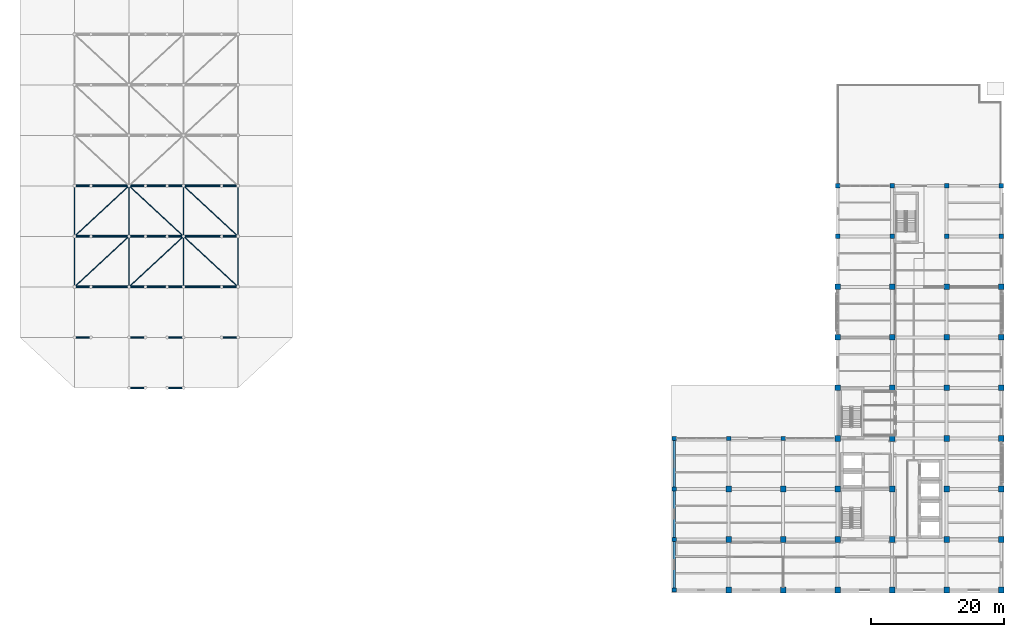
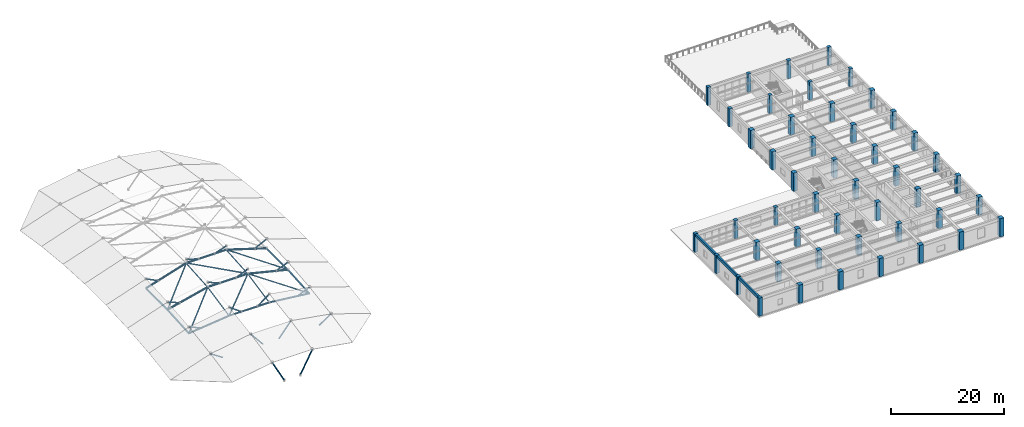
# One storey, part 1 of 22: 48 columns, 41 members, 3 beams.
"""IFC4 building model written with IfcOpenShell, lengths in metres."""

from ifc_helpers import new_model, si_unit, direction, frame, origin, origin_2d, place, context, subcontext, project, spatial, rectangle, hollow_rectangle, hollow_circle, extrude, material, material_profile, profile_set, type_object, element, save


model = new_model("IFC4")

# Units and contexts
model_context = context("Model", 3, precision=1e-05, world=origin(), true_north=direction((0.0, 1.0)))
body_context = subcontext(model_context, "Body", "Model", "MODEL_VIEW")
ifc_project = project(units=[si_unit("LENGTHUNIT", "METRE"), si_unit("AREAUNIT", "SQUARE_METRE"), si_unit("VOLUMEUNIT", "CUBIC_METRE"), si_unit("PLANEANGLEUNIT", "RADIAN"), si_unit("MASSUNIT", "GRAM", prefix="KILO")], contexts=[model_context])

# Site, building, storey
site_placement = place(None, origin())
site = spatial("IfcSite", under=ifc_project, at=site_placement, CompositionType="ELEMENT")
building_placement = place(site_placement, origin())
building = spatial("IfcBuilding", under=site, at=building_placement, Name="Qandaris Square Conservatory and Botanical Centre", CompositionType="ELEMENT")
storey_placement = place(building_placement, frame((0.0, 0.0, 19.800048828125)))
storey = spatial("IfcBuildingStorey", under=building, at=storey_placement, Name="L04", CompositionType="ELEMENT", Elevation=19.800048828125)

# Columns
ifc_material_1 = material(Name="Concrete C50/60", Category="concrete")
ifc_material_profile_1 = material_profile(ifc_material_1, rectangle(XDim=0.64990234375, YDim=0.64990234375, at=origin_2d()), Name="RC-COL 650x650")
ifc_profile_set_1 = profile_set([ifc_material_profile_1], Name="Concrete C50/60")
column_type_1 = type_object("IfcColumnType", Name="RC Column 650x650", PredefinedType="COLUMN", material=ifc_profile_set_1)
for number, where, z_axis, x_axis, name in (
    (1, (114.60009765625, 16.60009765625, 0.0), (0.0, 0.0, 1.0), (1.0, 0.0, 0.0), "Column B14 (L04)"),
    (2, (114.60009765625, 24.199951171875, 0.0), (0.0, 0.0, 1.0), (1.0, 0.0, 0.0), "Column C14 (L04)"),
    (3, (114.60009765625, 31.800048828125, 0.0), (0.0, 0.0, 1.0), (1.0, 0.0, 0.0), "Column D14 (L04)"),
    (4, (114.60009765625, 39.39990234375, 0.0), (0.0, 0.0, 1.0), (1.0, 0.0, 0.0), "Column E14 (L04)"),
    (5, (122.800048828125, 39.39990234375, 0.0), (0.0, 0.0, 1.0), (1.0, 0.0, 0.0), "Column E15 (L04)"),
    (6, (131.0, 39.39990234375, 0.0), (0.0, 0.0, 1.0), (1.0, 0.0, 0.0), "Column E16 (L04)"),
    (7, (139.199951171875, 69.800048828125, 0.0), (0.0, 0.0, 1.0), (1.0, 0.0, 0.0), "Column J17 (L04)"),
    (8, (139.199951171875, 77.39990234375, 0.0), (0.0, 0.0, 1.0), (1.0, 0.0, 0.0), "Column K17 (L04)"),
    (9, (147.39990234375, 69.800048828125, 0.0), (0.0, 0.0, 1.0), (1.0, 0.0, 0.0), "Column J18 (L04)"),
    (10, (147.39990234375, 77.39990234375, 0.0), (0.0, 0.0, 1.0), (1.0, 0.0, 0.0), "Column K18 (L04)"),
    (11, (155.60009765625, 69.800048828125, 0.0), (0.0, 0.0, 1.0), (1.0, 0.0, 0.0), "Column J19 (L04)"),
    (12, (155.60009765625, 77.39990234375, 0.0), (0.0, 0.0, 1.0), (1.0, 0.0, 0.0), "Column K19 (L04)"),
    (13, (163.800048828125, 69.800048828125, 0.0), (0.0, 0.0, 1.0), (1.0, 0.0, 0.0), "Column J20 (L04)"),
    (14, (163.800048828125, 77.39990234375, 0.0), (0.0, 0.0, 1.0), (1.0, 0.0, 0.0), "Column K20 (L04)"),
):
    element("IfcColumn", number, at=place(storey_placement, frame(where, z_axis=z_axis, x_axis=x_axis)), inside=storey, type_object=column_type_1, Name=name, PredefinedType="COLUMN", context=body_context, shape_type="SweptSolid", body=[
        extrude(rectangle(XDim=0.64990234375, YDim=0.64990234375, at=origin_2d()), origin(), (0.0, 0.0, 1.0), 3.93994140625),
    ])
ifc_material_profile_2 = material_profile(ifc_material_1, rectangle(XDim=0.85009765625, YDim=0.85009765625, at=origin_2d()), Name="RC-COL 850x850")
ifc_profile_set_2 = profile_set([ifc_material_profile_2], Name="Concrete C50/60")
column_type_2 = type_object("IfcColumnType", Name="RC Column 850x850", PredefinedType="COLUMN", material=ifc_profile_set_2)
for number, where, z_axis, x_axis, name in (
    (15, (122.800048828125, 16.60009765625, 0.0), (0.0, 0.0, 1.0), (1.0, 0.0, 0.0), "Column B15 (L04)"),
    (16, (122.800048828125, 24.199951171875, 0.0), (0.0, 0.0, 1.0), (1.0, 0.0, 0.0), "Column C15 (L04)"),
    (17, (122.800048828125, 31.800048828125, 0.0), (0.0, 0.0, 1.0), (1.0, 0.0, 0.0), "Column D15 (L04)"),
    (18, (131.0, 16.60009765625, 0.0), (0.0, 0.0, 1.0), (1.0, 0.0, 0.0), "Column B16 (L04)"),
    (19, (131.0, 24.199951171875, 0.0), (0.0, 0.0, 1.0), (1.0, 0.0, 0.0), "Column C16 (L04)"),
    (20, (131.0, 31.800048828125, 0.0), (0.0, 0.0, 1.0), (1.0, 0.0, 0.0), "Column D16 (L04)"),
    (21, (139.199951171875, 16.60009765625, 0.0), (0.0, 0.0, 1.0), (1.0, 0.0, 0.0), "Column B17 (L04)"),
    (22, (139.199951171875, 24.199951171875, 0.0), (0.0, 0.0, 1.0), (1.0, 0.0, 0.0), "Column C17 (L04)"),
    (23, (139.199951171875, 31.800048828125, 0.0), (0.0, 0.0, 1.0), (1.0, 0.0, 0.0), "Column D17 (L04)"),
    (24, (139.199951171875, 39.39990234375, 0.0), (0.0, 0.0, 1.0), (1.0, 0.0, 0.0), "Column E17 (L04)"),
    (25, (139.199951171875, 47.0, 0.0), (0.0, 0.0, 1.0), (1.0, 0.0, 0.0), "Column F17 (L04)"),
    (26, (139.199951171875, 54.60009765625, 0.0), (0.0, 0.0, 1.0), (1.0, 0.0, 0.0), "Column G17 (L04)"),
    (27, (139.199951171875, 62.199951171875, 0.0), (0.0, 0.0, 1.0), (1.0, 0.0, 0.0), "Column H17 (L04)"),
    (28, (147.39990234375, 16.60009765625, 0.0), (0.0, 0.0, 1.0), (1.0, 0.0, 0.0), "Column B18 (L04)"),
    (29, (147.39990234375, 24.199951171875, 0.0), (0.0, 0.0, 1.0), (1.0, 0.0, 0.0), "Column C18 (L04)"),
    (30, (147.39990234375, 31.800048828125, 0.0), (0.0, 0.0, 1.0), (1.0, 0.0, 0.0), "Column D18 (L04)"),
    (31, (147.39990234375, 39.39990234375, 0.0), (0.0, 0.0, 1.0), (1.0, 0.0, 0.0), "Column E18 (L04)"),
    (32, (147.39990234375, 47.0, 0.0), (0.0, 0.0, 1.0), (1.0, 0.0, 0.0), "Column F18 (L04)"),
    (33, (147.39990234375, 54.60009765625, 0.0), (0.0, 0.0, 1.0), (1.0, 0.0, 0.0), "Column G18 (L04)"),
    (34, (147.39990234375, 62.199951171875, 0.0), (0.0, 0.0, 1.0), (1.0, 0.0, 0.0), "Column H18 (L04)"),
    (35, (155.60009765625, 16.60009765625, 0.0), (0.0, 0.0, 1.0), (1.0, 0.0, 0.0), "Column B19 (L04)"),
    (36, (155.60009765625, 24.199951171875, 0.0), (0.0, 0.0, 1.0), (1.0, 0.0, 0.0), "Column C19 (L04)"),
    (37, (155.60009765625, 31.800048828125, 0.0), (0.0, 0.0, 1.0), (1.0, 0.0, 0.0), "Column D19 (L04)"),
    (38, (155.60009765625, 39.39990234375, 0.0), (0.0, 0.0, 1.0), (1.0, 0.0, 0.0), "Column E19 (L04)"),
    (39, (155.60009765625, 47.0, 0.0), (0.0, 0.0, 1.0), (1.0, 0.0, 0.0), "Column F19 (L04)"),
    (40, (155.60009765625, 54.60009765625, 0.0), (0.0, 0.0, 1.0), (1.0, 0.0, 0.0), "Column G19 (L04)"),
    (41, (155.60009765625, 62.199951171875, 0.0), (0.0, 0.0, 1.0), (1.0, 0.0, 0.0), "Column H19 (L04)"),
    (42, (163.800048828125, 16.60009765625, 0.0), (0.0, 0.0, 1.0), (1.0, 0.0, 0.0), "Column B20 (L04)"),
    (43, (163.800048828125, 24.199951171875, 0.0), (0.0, 0.0, 1.0), (1.0, 0.0, 0.0), "Column C20 (L04)"),
    (44, (163.800048828125, 31.800048828125, 0.0), (0.0, 0.0, 1.0), (1.0, 0.0, 0.0), "Column D20 (L04)"),
    (45, (163.800048828125, 39.39990234375, 0.0), (0.0, 0.0, 1.0), (1.0, 0.0, 0.0), "Column E20 (L04)"),
    (46, (163.800048828125, 47.0, 0.0), (0.0, 0.0, 1.0), (1.0, 0.0, 0.0), "Column F20 (L04)"),
    (47, (163.800048828125, 54.60009765625, 0.0), (0.0, 0.0, 1.0), (1.0, 0.0, 0.0), "Column G20 (L04)"),
    (48, (163.800048828125, 62.199951171875, 0.0), (0.0, 0.0, 1.0), (1.0, 0.0, 0.0), "Column H20 (L04)"),
):
    element("IfcColumn", number, at=place(storey_placement, frame(where, z_axis=z_axis, x_axis=x_axis)), inside=storey, type_object=column_type_2, Name=name, PredefinedType="COLUMN", context=body_context, shape_type="SweptSolid", body=[
        extrude(rectangle(XDim=0.85009765625, YDim=0.85009765625, at=origin_2d()), origin(), (0.0, 0.0, 1.0), 3.93994140625),
    ])

# Members
ifc_material_2 = material(Name="Steel S355", Category="steel")
ifc_material_profile_3 = material_profile(ifc_material_2, hollow_circle(Radius=0.084228515625, WallThickness=0.008056640625, at=origin_2d()), Name="CHS 168.3x8.0")
ifc_profile_set_3 = profile_set([ifc_material_profile_3], Name="Steel S355")
member_type_1 = type_object("IfcMemberType", Name="Gridshell Crown Diagrid Brace CHS 168.3x8.0", PredefinedType="BRACE", material=ifc_profile_set_3)
member_1_placement = place(storey_placement, frame((24.39990234375, 62.199951171875, 0.02880859375), z_axis=(0.715665643203, 0.663292588809, 0.218782149113), x_axis=(-0.679760654278, 0.733434014002, 0.0)))
element("IfcMember", 49, at=member_1_placement, inside=storey, type_object=member_type_1, Name="Conservatory Diagrid Brace 010", PredefinedType="BRACE", context=body_context, shape_type="SweptSolid", body=[
    extrude(hollow_circle(Radius=0.084228515625, WallThickness=0.008056640625, at=origin_2d()), origin(), (0.0, 0.0, 1.0), 11.458251953125),
])
member_2_placement = place(storey_placement, frame((24.39990234375, 69.800048828125, 0.531982421875), z_axis=(0.714720486394, 0.662395320382, 0.224515179586), x_axis=(-0.679748907773, 0.733444900713, 0.0)))
element("IfcMember", 50, at=member_2_placement, inside=storey, type_object=member_type_1, Name="Conservatory Diagrid Brace 011", PredefinedType="BRACE", context=body_context, shape_type="SweptSolid", body=[
    extrude(hollow_circle(Radius=0.084228515625, WallThickness=0.008056640625, at=origin_2d()), origin(), (0.0, 0.0, 1.0), 11.473388671875),
])
member_3_placement = place(storey_placement, frame((32.60009765625, 62.199951171875, 0.9453125), z_axis=(0.726114918349, 0.672997213451, 0.140825693814), x_axis=(-0.67977154102, 0.733423923811, 0.0)))
element("IfcMember", 51, at=member_3_placement, inside=storey, type_object=member_type_1, Name="Conservatory Diagrid Brace 019", PredefinedType="BRACE", context=body_context, shape_type="SweptSolid", body=[
    extrude(hollow_circle(Radius=0.084228515625, WallThickness=0.008056640625, at=origin_2d()), origin(), (0.0, 0.0, 1.0), 11.29296875),
])
member_4_placement = place(storey_placement, frame((32.60009765625, 77.39990234375, 3.10791015625), z_axis=(0.732475907026, -0.678871066478, -0.051118692532), x_axis=(0.67975979465, 0.733434810721, 0.0)))
element("IfcMember", 52, at=member_4_placement, inside=storey, type_object=member_type_1, Name="Conservatory Diagrid Brace 020", PredefinedType="BRACE", context=body_context, shape_type="SweptSolid", body=[
    extrude(hollow_circle(Radius=0.084228515625, WallThickness=0.008056640625, at=origin_2d()), origin(), (0.0, 0.0, 1.0), 11.19482421875),
])
member_5_placement = place(storey_placement, frame((40.800048828125, 69.800048828125, 2.53564453125), z_axis=(0.715655248838, -0.663302703318, -0.218785485309), x_axis=(0.67977154102, 0.733423923811, 0.0)))
element("IfcMember", 53, at=member_5_placement, inside=storey, type_object=member_type_1, Name="Conservatory Diagrid Brace 028", PredefinedType="BRACE", context=body_context, shape_type="SweptSolid", body=[
    extrude(hollow_circle(Radius=0.084228515625, WallThickness=0.008056640625, at=origin_2d()), origin(), (0.0, 0.0, 1.0), 11.4580078125),
])
member_6_placement = place(storey_placement, frame((40.800048828125, 77.39990234375, 3.10791015625), z_axis=(0.714710076989, -0.662405394545, -0.224518594168), x_axis=(0.67975979465, 0.733434810721, 0.0)))
element("IfcMember", 54, at=member_6_placement, inside=storey, type_object=member_type_1, Name="Conservatory Diagrid Brace 029", PredefinedType="BRACE", context=body_context, shape_type="SweptSolid", body=[
    extrude(hollow_circle(Radius=0.084228515625, WallThickness=0.008056640625, at=origin_2d()), origin(), (0.0, 0.0, 1.0), 11.47314453125),
])
ifc_material_profile_4 = material_profile(ifc_material_2, hollow_circle(Radius=0.136474609375, WallThickness=0.010009765625, at=origin_2d()), Name="CHS 273.0x10.0")
ifc_profile_set_4 = profile_set([ifc_material_profile_4], Name="Steel S355")
member_type_2 = type_object("IfcMemberType", Name="Gridshell Crown Ring Chord CHS 273.0x10.0", PredefinedType="CHORD", material=ifc_profile_set_4)
member_7_placement = place(storey_placement, frame((26.860107421875, 54.60009765625, -1.43994140625), z_axis=(-0.832964779226, 0.0, 0.553326012915), x_axis=(0.0, -1.0, 0.0)))
element("IfcMember", 55, at=member_7_placement, inside=storey, type_object=member_type_2, Name="Dome Glazing V-Strut 1.1", PredefinedType="CHORD", context=body_context, shape_type="SweptSolid", body=[
    extrude(hollow_circle(Radius=0.136474609375, WallThickness=0.010009765625, at=origin_2d()), origin(), (0.0, 0.0, 1.0), 2.95361328125),
])
member_8_placement = place(storey_placement, frame((26.860107421875, 62.199951171875, 0.303955078125), z_axis=(-0.918275535338, 0.0, 0.395941966959), x_axis=(0.0, -1.0, 0.0)))
element("IfcMember", 56, at=member_8_placement, inside=storey, type_object=member_type_2, Name="Dome Glazing V-Strut 1.2", PredefinedType="CHORD", context=body_context, shape_type="SweptSolid", body=[
    extrude(hollow_circle(Radius=0.136474609375, WallThickness=0.010009765625, at=origin_2d()), origin(), (0.0, 0.0, 1.0), 2.67919921875),
])
member_9_placement = place(storey_placement, frame((26.860107421875, 69.800048828125, 1.133056640625), z_axis=(-0.924818684951, 0.0, 0.380408201759), x_axis=(0.0, -1.0, 0.0)))
element("IfcMember", 57, at=member_9_placement, inside=storey, type_object=member_type_2, Name="Dome Glazing V-Strut 1.3", PredefinedType="CHORD", context=body_context, shape_type="SweptSolid", body=[
    extrude(hollow_circle(Radius=0.136474609375, WallThickness=0.010009765625, at=origin_2d()), origin(), (0.0, 0.0, 1.0), 2.66015625),
])
member_10_placement = place(storey_placement, frame((26.860107421875, 77.39990234375, 1.3046875), z_axis=(-0.894373932266, 0.0, 0.447320097114), x_axis=(0.0, -1.0, 0.0)))
element("IfcMember", 58, at=member_10_placement, inside=storey, type_object=member_type_2, Name="Dome Glazing V-Strut 1.4", PredefinedType="CHORD", context=body_context, shape_type="SweptSolid", body=[
    extrude(hollow_circle(Radius=0.136474609375, WallThickness=0.010009765625, at=origin_2d()), origin(), (0.0, 0.0, 1.0), 2.750732421875),
])
member_11_placement = place(storey_placement, frame((35.06005859375, 47.0, -4.6201171875), z_axis=(-0.467934662337, 0.0, 0.883763063147), x_axis=(0.0, -1.0, 0.0)))
element("IfcMember", 59, at=member_11_placement, inside=storey, type_object=member_type_2, Name="Dome Glazing V-Strut 2.0", PredefinedType="CHORD", context=body_context, shape_type="SweptSolid", body=[
    extrude(hollow_circle(Radius=0.136474609375, WallThickness=0.010009765625, at=origin_2d()), origin(), (0.0, 0.0, 1.0), 5.257080078125),
])
member_12_placement = place(storey_placement, frame((35.06005859375, 54.60009765625, -1.43994140625), z_axis=(-0.630752866449, 0.0, 0.775983776548), x_axis=(0.0, -1.0, 0.0)))
element("IfcMember", 60, at=member_12_placement, inside=storey, type_object=member_type_2, Name="Dome Glazing V-Strut 2.1", PredefinedType="CHORD", context=body_context, shape_type="SweptSolid", body=[
    extrude(hollow_circle(Radius=0.136474609375, WallThickness=0.010009765625, at=origin_2d()), origin(), (0.0, 0.0, 1.0), 3.900146484375),
])
member_13_placement = place(storey_placement, frame((35.06005859375, 62.199951171875, 0.9453125), z_axis=(-0.805224530381, 0.0, 0.59297002932), x_axis=(0.0, -1.0, 0.0)))
element("IfcMember", 61, at=member_13_placement, inside=storey, type_object=member_type_2, Name="Dome Glazing V-Strut 2.2", PredefinedType="CHORD", context=body_context, shape_type="SweptSolid", body=[
    extrude(hollow_circle(Radius=0.136474609375, WallThickness=0.010009765625, at=origin_2d()), origin(), (0.0, 0.0, 1.0), 3.054931640625),
])
member_14_placement = place(storey_placement, frame((35.06005859375, 69.800048828125, 2.53564453125), z_axis=(-0.926189872577, 0.0, 0.377057449118), x_axis=(0.0, -1.0, 0.0)))
element("IfcMember", 62, at=member_14_placement, inside=storey, type_object=member_type_2, Name="Dome Glazing V-Strut 2.3", PredefinedType="CHORD", context=body_context, shape_type="SweptSolid", body=[
    extrude(hollow_circle(Radius=0.136474609375, WallThickness=0.010009765625, at=origin_2d()), origin(), (0.0, 0.0, 1.0), 2.656005859375),
])
member_15_placement = place(storey_placement, frame((35.06005859375, 77.39990234375, 3.10791015625), z_axis=(-0.948758599328, 0.0, 0.316001772464), x_axis=(0.0, -1.0, 0.0)))
element("IfcMember", 63, at=member_15_placement, inside=storey, type_object=member_type_2, Name="Dome Glazing V-Strut 2.4", PredefinedType="CHORD", context=body_context, shape_type="SweptSolid", body=[
    extrude(hollow_circle(Radius=0.136474609375, WallThickness=0.010009765625, at=origin_2d()), origin(), (0.0, 0.0, 1.0), 2.5927734375),
])
member_16_placement = place(storey_placement, frame((38.340087890625, 47.0, -4.6201171875), z_axis=(0.467934662337, 0.0, 0.883763063147), x_axis=(0.0, 1.0, 0.0)))
element("IfcMember", 64, at=member_16_placement, inside=storey, type_object=member_type_2, Name="Dome Glazing V-Strut 3.0", PredefinedType="CHORD", context=body_context, shape_type="SweptSolid", body=[
    extrude(hollow_circle(Radius=0.136474609375, WallThickness=0.010009765625, at=origin_2d()), origin(), (0.0, 0.0, 1.0), 5.257080078125),
])
member_17_placement = place(storey_placement, frame((38.340087890625, 54.60009765625, -1.43994140625), z_axis=(0.630752866449, 0.0, 0.775983776548), x_axis=(0.0, 1.0, 0.0)))
element("IfcMember", 65, at=member_17_placement, inside=storey, type_object=member_type_2, Name="Dome Glazing V-Strut 3.1", PredefinedType="CHORD", context=body_context, shape_type="SweptSolid", body=[
    extrude(hollow_circle(Radius=0.136474609375, WallThickness=0.010009765625, at=origin_2d()), origin(), (0.0, 0.0, 1.0), 3.900146484375),
])
member_18_placement = place(storey_placement, frame((38.340087890625, 62.199951171875, 0.9453125), z_axis=(0.805224530381, 0.0, 0.59297002932), x_axis=(0.0, 1.0, 0.0)))
element("IfcMember", 66, at=member_18_placement, inside=storey, type_object=member_type_2, Name="Dome Glazing V-Strut 3.2", PredefinedType="CHORD", context=body_context, shape_type="SweptSolid", body=[
    extrude(hollow_circle(Radius=0.136474609375, WallThickness=0.010009765625, at=origin_2d()), origin(), (0.0, 0.0, 1.0), 3.054931640625),
])
member_19_placement = place(storey_placement, frame((38.340087890625, 69.800048828125, 2.53564453125), z_axis=(0.926189872577, 0.0, 0.377057449118), x_axis=(0.0, 1.0, 0.0)))
element("IfcMember", 67, at=member_19_placement, inside=storey, type_object=member_type_2, Name="Dome Glazing V-Strut 3.3", PredefinedType="CHORD", context=body_context, shape_type="SweptSolid", body=[
    extrude(hollow_circle(Radius=0.136474609375, WallThickness=0.010009765625, at=origin_2d()), origin(), (0.0, 0.0, 1.0), 2.656005859375),
])
member_20_placement = place(storey_placement, frame((38.340087890625, 77.39990234375, 3.10791015625), z_axis=(0.948758599328, 0.0, 0.316001772464), x_axis=(0.0, 1.0, 0.0)))
element("IfcMember", 68, at=member_20_placement, inside=storey, type_object=member_type_2, Name="Dome Glazing V-Strut 3.4", PredefinedType="CHORD", context=body_context, shape_type="SweptSolid", body=[
    extrude(hollow_circle(Radius=0.136474609375, WallThickness=0.010009765625, at=origin_2d()), origin(), (0.0, 0.0, 1.0), 2.5927734375),
])
member_21_placement = place(storey_placement, frame((46.5400390625, 54.60009765625, -1.43994140625), z_axis=(0.832939468628, 0.0, 0.553364113041), x_axis=(0.0, 1.0, 0.0)))
element("IfcMember", 69, at=member_21_placement, inside=storey, type_object=member_type_2, Name="Dome Glazing V-Strut 4.1", PredefinedType="CHORD", context=body_context, shape_type="SweptSolid", body=[
    extrude(hollow_circle(Radius=0.136474609375, WallThickness=0.010009765625, at=origin_2d()), origin(), (0.0, 0.0, 1.0), 2.953369140625),
])
member_22_placement = place(storey_placement, frame((46.5400390625, 62.199951171875, 0.303955078125), z_axis=(0.918261247736, 0.0, 0.395975101371), x_axis=(0.0, 1.0, 0.0)))
element("IfcMember", 70, at=member_22_placement, inside=storey, type_object=member_type_2, Name="Dome Glazing V-Strut 4.2", PredefinedType="CHORD", context=body_context, shape_type="SweptSolid", body=[
    extrude(hollow_circle(Radius=0.136474609375, WallThickness=0.010009765625, at=origin_2d()), origin(), (0.0, 0.0, 1.0), 2.678955078125),
])
member_23_placement = place(storey_placement, frame((46.5400390625, 69.800048828125, 1.133056640625), z_axis=(0.924805402434, 0.0, 0.380440491573), x_axis=(0.0, 1.0, 0.0)))
element("IfcMember", 71, at=member_23_placement, inside=storey, type_object=member_type_2, Name="Dome Glazing V-Strut 4.3", PredefinedType="CHORD", context=body_context, shape_type="SweptSolid", body=[
    extrude(hollow_circle(Radius=0.136474609375, WallThickness=0.010009765625, at=origin_2d()), origin(), (0.0, 0.0, 1.0), 2.659912109375),
])
member_24_placement = place(storey_placement, frame((46.5400390625, 77.39990234375, 1.3046875), z_axis=(0.894356170899, 0.0, 0.447355607516), x_axis=(0.0, 1.0, 0.0)))
element("IfcMember", 72, at=member_24_placement, inside=storey, type_object=member_type_2, Name="Dome Glazing V-Strut 4.4", PredefinedType="CHORD", context=body_context, shape_type="SweptSolid", body=[
    extrude(hollow_circle(Radius=0.136474609375, WallThickness=0.010009765625, at=origin_2d()), origin(), (0.0, 0.0, 1.0), 2.75048828125),
])
ifc_material_profile_5 = material_profile(ifc_material_2, hollow_rectangle(XDim=0.199951171875, YDim=0.300048828125, WallThickness=0.010009765625, at=origin_2d()), Name="RHS 300x200x10.0")
ifc_profile_set_5 = profile_set([ifc_material_profile_5], Name="Steel S355")
member_type_3 = type_object("IfcMemberType", Name="Gridshell Main Ring Purlin RHS 300x200x10.0", PredefinedType="PURLIN", material=ifc_profile_set_5)
member_25_placement = place(storey_placement, frame((24.39990234375, 62.199951171875, -0.05126953125), z_axis=(0.0, 0.99781554609, 0.066061607468), x_axis=(-1.0, 0.0, 0.0)))
element("IfcMember", 73, at=member_25_placement, inside=storey, type_object=member_type_3, Name="Conservatory Roof Purlin 003", PredefinedType="PURLIN", context=body_context, shape_type="SweptSolid", body=[
    extrude(hollow_rectangle(XDim=0.199951171875, YDim=0.300048828125, WallThickness=0.010009765625, at=origin_2d()), origin(), (0.0, 0.0, 1.0), 7.61669921875),
])
member_26_placement = place(storey_placement, frame((24.39990234375, 69.800048828125, 0.451904296875), z_axis=(0.0, 1.0, 0.0), x_axis=(-1.0, 0.0, 0.0)))
element("IfcMember", 74, at=member_26_placement, inside=storey, type_object=member_type_3, Name="Conservatory Roof Purlin 004", PredefinedType="PURLIN", context=body_context, shape_type="SweptSolid", body=[
    extrude(hollow_rectangle(XDim=0.199951171875, YDim=0.300048828125, WallThickness=0.010009765625, at=origin_2d()), origin(), (0.0, 0.0, 1.0), 7.599853515625),
])
member_27_placement = place(storey_placement, frame((49.0, 62.199951171875, -0.05126953125), z_axis=(0.0, 0.99781554609, 0.066061607468), x_axis=(-1.0, 0.0, 0.0)))
element("IfcMember", 75, at=member_27_placement, inside=storey, type_object=member_type_3, Name="Conservatory Roof Purlin 030", PredefinedType="PURLIN", context=body_context, shape_type="SweptSolid", body=[
    extrude(hollow_rectangle(XDim=0.199951171875, YDim=0.300048828125, WallThickness=0.010009765625, at=origin_2d()), origin(), (0.0, 0.0, 1.0), 7.61669921875),
])
member_28_placement = place(storey_placement, frame((49.0, 69.800048828125, 0.451904296875), z_axis=(0.0, 1.0, 0.0), x_axis=(-1.0, 0.0, 0.0)))
element("IfcMember", 76, at=member_28_placement, inside=storey, type_object=member_type_3, Name="Conservatory Roof Purlin 031", PredefinedType="PURLIN", context=body_context, shape_type="SweptSolid", body=[
    extrude(hollow_rectangle(XDim=0.199951171875, YDim=0.300048828125, WallThickness=0.010009765625, at=origin_2d()), origin(), (0.0, 0.0, 1.0), 7.599853515625),
])
ifc_material_profile_6 = material_profile(ifc_material_2, hollow_circle(Radius=0.203125, WallThickness=0.01416015625, at=origin_2d()), Name="CHS 406.4x14.2")
ifc_profile_set_6 = profile_set([ifc_material_profile_6], Name="Steel S355")
member_type_4 = type_object("IfcMemberType", Name="Gridshell Primary Arch Chord CHS 406.4x14.2", PredefinedType="CHORD", material=ifc_profile_set_6)
member_29_placement = place(storey_placement, frame((24.39990234375, 69.800048828125, 0.531982421875), z_axis=(0.971421683893, 0.0, 0.237360300098), x_axis=(0.0, 1.0, 0.0)))
element("IfcMember", 77, at=member_29_placement, inside=storey, type_object=member_type_4, Name="Conservatory Roof Truss Chord 011", PredefinedType="CHORD", context=body_context, shape_type="SweptSolid", body=[
    extrude(hollow_circle(Radius=0.203125, WallThickness=0.01416015625, at=origin_2d()), origin(), (0.0, 0.0, 1.0), 8.44140625),
])
member_30_placement = place(storey_placement, frame((24.39990234375, 77.39990234375, 0.531982421875), z_axis=(0.954036186829, 0.0, 0.299691431679), x_axis=(0.0, 1.0, 0.0)))
element("IfcMember", 78, at=member_30_placement, inside=storey, type_object=member_type_4, Name="Conservatory Roof Truss Chord 012", PredefinedType="CHORD", context=body_context, shape_type="SweptSolid", body=[
    extrude(hollow_circle(Radius=0.203125, WallThickness=0.01416015625, at=origin_2d()), origin(), (0.0, 0.0, 1.0), 8.59521484375),
])
for number, where, z_axis, x_axis, name in (
    (79, (32.60009765625, 69.800048828125, 2.53564453125), (1.0, 0.0, 0.0), (0.0, 1.0, 0.0), "Conservatory Roof Truss Chord 019"),
    (80, (32.60009765625, 77.39990234375, 3.10791015625), (1.0, 0.0, 0.0), (0.0, 1.0, 0.0), "Conservatory Roof Truss Chord 020"),
):
    element("IfcMember", number, at=place(storey_placement, frame(where, z_axis=z_axis, x_axis=x_axis)), inside=storey, type_object=member_type_4, Name=name, PredefinedType="CHORD", context=body_context, shape_type="SweptSolid", body=[
        extrude(hollow_circle(Radius=0.203125, WallThickness=0.01416015625, at=origin_2d()), origin(), (0.0, 0.0, 1.0), 8.199951171875),
    ])
member_31_placement = place(storey_placement, frame((40.800048828125, 69.800048828125, 2.53564453125), z_axis=(0.971420054379, 0.0, -0.237366968955), x_axis=(0.0, 1.0, 0.0)))
element("IfcMember", 81, at=member_31_placement, inside=storey, type_object=member_type_4, Name="Conservatory Roof Truss Chord 027", PredefinedType="CHORD", context=body_context, shape_type="SweptSolid", body=[
    extrude(hollow_circle(Radius=0.203125, WallThickness=0.01416015625, at=origin_2d()), origin(), (0.0, 0.0, 1.0), 8.441162109375),
])
member_32_placement = place(storey_placement, frame((40.800048828125, 77.39990234375, 3.10791015625), z_axis=(0.954033635614, 0.0, -0.299699553082), x_axis=(0.0, 1.0, 0.0)))
element("IfcMember", 82, at=member_32_placement, inside=storey, type_object=member_type_4, Name="Conservatory Roof Truss Chord 028", PredefinedType="CHORD", context=body_context, shape_type="SweptSolid", body=[
    extrude(hollow_circle(Radius=0.203125, WallThickness=0.01416015625, at=origin_2d()), origin(), (0.0, 0.0, 1.0), 8.594970703125),
])
ifc_material_profile_7 = material_profile(ifc_material_2, hollow_circle(Radius=0.177734375, WallThickness=0.012451171875, at=origin_2d()), Name="CHS 355.6x12.5")
ifc_profile_set_7 = profile_set([ifc_material_profile_7], Name="Steel S355")
member_type_5 = type_object("IfcMemberType", Name="Gridshell Secondary Arch Chord CHS 355.6x12.5", PredefinedType="CHORD", material=ifc_profile_set_7)
member_33_placement = place(storey_placement, frame((24.39990234375, 62.199951171875, 0.02880859375), z_axis=(0.993812081736, 0.0, 0.111074507408), x_axis=(0.0, 1.0, 0.0)))
element("IfcMember", 83, at=member_33_placement, inside=storey, type_object=member_type_5, Name="Conservatory Roof Truss Chord 010", PredefinedType="CHORD", context=body_context, shape_type="SweptSolid", body=[
    extrude(hollow_circle(Radius=0.177734375, WallThickness=0.012451171875, at=origin_2d()), origin(), (0.0, 0.0, 1.0), 8.251220703125),
])
member_34_placement = place(storey_placement, frame((32.60009765625, 62.199951171875, 0.9453125), z_axis=(1.0, 0.0, 0.0), x_axis=(0.0, 1.0, 0.0)))
element("IfcMember", 84, at=member_34_placement, inside=storey, type_object=member_type_5, Name="Conservatory Roof Truss Chord 018", PredefinedType="CHORD", context=body_context, shape_type="SweptSolid", body=[
    extrude(hollow_circle(Radius=0.177734375, WallThickness=0.012451171875, at=origin_2d()), origin(), (0.0, 0.0, 1.0), 8.199951171875),
])
member_35_placement = place(storey_placement, frame((40.800048828125, 62.199951171875, 0.9453125), z_axis=(0.993811716673, 0.0, -0.111077773674), x_axis=(0.0, 1.0, 0.0)))
element("IfcMember", 85, at=member_35_placement, inside=storey, type_object=member_type_5, Name="Conservatory Roof Truss Chord 026", PredefinedType="CHORD", context=body_context, shape_type="SweptSolid", body=[
    extrude(hollow_circle(Radius=0.177734375, WallThickness=0.012451171875, at=origin_2d()), origin(), (0.0, 0.0, 1.0), 8.2509765625),
])
ifc_material_profile_8 = material_profile(ifc_material_2, hollow_rectangle(XDim=0.1201171875, YDim=0.199951171875, WallThickness=0.008056640625, at=origin_2d()), Name="RHS 200x120x8.0")
ifc_profile_set_8 = profile_set([ifc_material_profile_8], Name="Steel S355")
member_type_6 = type_object("IfcMemberType", Name="Gridshell Upper Purlin RHS 200x120x8.0", PredefinedType="PURLIN", material=ifc_profile_set_8)
member_36_placement = place(storey_placement, frame((32.60009765625, 62.199951171875, 0.865234375), z_axis=(0.0, 0.978800594416, 0.204815517894), x_axis=(-1.0, 0.0, 0.0)))
element("IfcMember", 86, at=member_36_placement, inside=storey, type_object=member_type_6, Name="Conservatory Roof Purlin 012", PredefinedType="PURLIN", context=body_context, shape_type="SweptSolid", body=[
    extrude(hollow_rectangle(XDim=0.1201171875, YDim=0.199951171875, WallThickness=0.008056640625, at=origin_2d()), origin(), (0.0, 0.0, 1.0), 7.7646484375),
])
member_37_placement = place(storey_placement, frame((32.60009765625, 69.800048828125, 2.45556640625), z_axis=(0.0, 0.997176987395, 0.075086988289), x_axis=(-1.0, 0.0, 0.0)))
element("IfcMember", 87, at=member_37_placement, inside=storey, type_object=member_type_6, Name="Conservatory Roof Purlin 013", PredefinedType="PURLIN", context=body_context, shape_type="SweptSolid", body=[
    extrude(hollow_rectangle(XDim=0.1201171875, YDim=0.199951171875, WallThickness=0.008056640625, at=origin_2d()), origin(), (0.0, 0.0, 1.0), 7.621337890625),
])
member_38_placement = place(storey_placement, frame((40.800048828125, 62.199951171875, 0.865234375), z_axis=(0.0, 0.978800594416, 0.204815517894), x_axis=(-1.0, 0.0, 0.0)))
element("IfcMember", 88, at=member_38_placement, inside=storey, type_object=member_type_6, Name="Conservatory Roof Purlin 021", PredefinedType="PURLIN", context=body_context, shape_type="SweptSolid", body=[
    extrude(hollow_rectangle(XDim=0.1201171875, YDim=0.199951171875, WallThickness=0.008056640625, at=origin_2d()), origin(), (0.0, 0.0, 1.0), 7.7646484375),
])
member_39_placement = place(storey_placement, frame((40.800048828125, 69.800048828125, 2.45556640625), z_axis=(0.0, 0.997176987395, 0.075086988289), x_axis=(-1.0, 0.0, 0.0)))
element("IfcMember", 89, at=member_39_placement, inside=storey, type_object=member_type_6, Name="Conservatory Roof Purlin 022", PredefinedType="PURLIN", context=body_context, shape_type="SweptSolid", body=[
    extrude(hollow_rectangle(XDim=0.1201171875, YDim=0.199951171875, WallThickness=0.008056640625, at=origin_2d()), origin(), (0.0, 0.0, 1.0), 7.621337890625),
])

# Beams
ifc_material_profile_9 = material_profile(ifc_material_1, rectangle(XDim=0.35009765625, YDim=0.60009765625, at=origin_2d()), Name="RC-SP 350x600")
ifc_profile_set_9 = profile_set([ifc_material_profile_9], Name="Concrete C50/60")
beam_type = type_object("IfcBeamType", Name="RC Edge Spandrel Beam 350x600", PredefinedType="SPANDREL", material=ifc_profile_set_9)
beam_1_placement = place(storey_placement, frame((114.60009765625, 16.60009765625, 3.639892578125), z_axis=(0.0, 1.0, 0.0), x_axis=(-1.0, 0.0, 0.0)))
element("IfcBeam", 90, at=beam_1_placement, inside=storey, type_object=beam_type, Name="L04 Frame Beam 1726", PredefinedType="SPANDREL", context=body_context, shape_type="SweptSolid", body=[
    extrude(rectangle(XDim=0.35009765625, YDim=0.60009765625, at=origin_2d()), origin(), (0.0, 0.0, 1.0), 7.599853515625),
])
beam_2_placement = place(storey_placement, frame((114.60009765625, 24.199951171875, 3.639892578125), z_axis=(0.0, 1.0, 0.0), x_axis=(-1.0, 0.0, 0.0)))
element("IfcBeam", 91, at=beam_2_placement, inside=storey, type_object=beam_type, Name="L04 Frame Beam 1727", PredefinedType="SPANDREL", context=body_context, shape_type="SweptSolid", body=[
    extrude(rectangle(XDim=0.35009765625, YDim=0.60009765625, at=origin_2d()), origin(), (0.0, 0.0, 1.0), 7.60009765625),
])
beam_3_placement = place(storey_placement, frame((114.60009765625, 31.800048828125, 3.639892578125), z_axis=(0.0, 1.0, 0.0), x_axis=(-1.0, 0.0, 0.0)))
element("IfcBeam", 92, at=beam_3_placement, inside=storey, type_object=beam_type, Name="L04 Frame Beam 1728", PredefinedType="SPANDREL", context=body_context, shape_type="SweptSolid", body=[
    extrude(rectangle(XDim=0.35009765625, YDim=0.60009765625, at=origin_2d()), origin(), (0.0, 0.0, 1.0), 7.599853515625),
])

save(model, "model.ifc")
